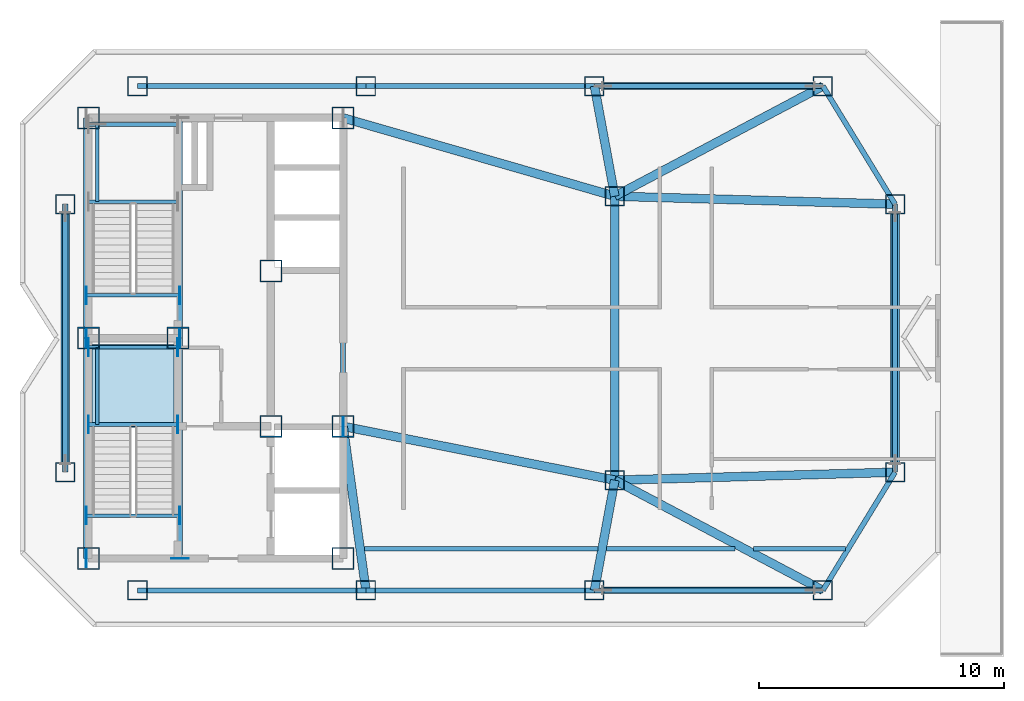
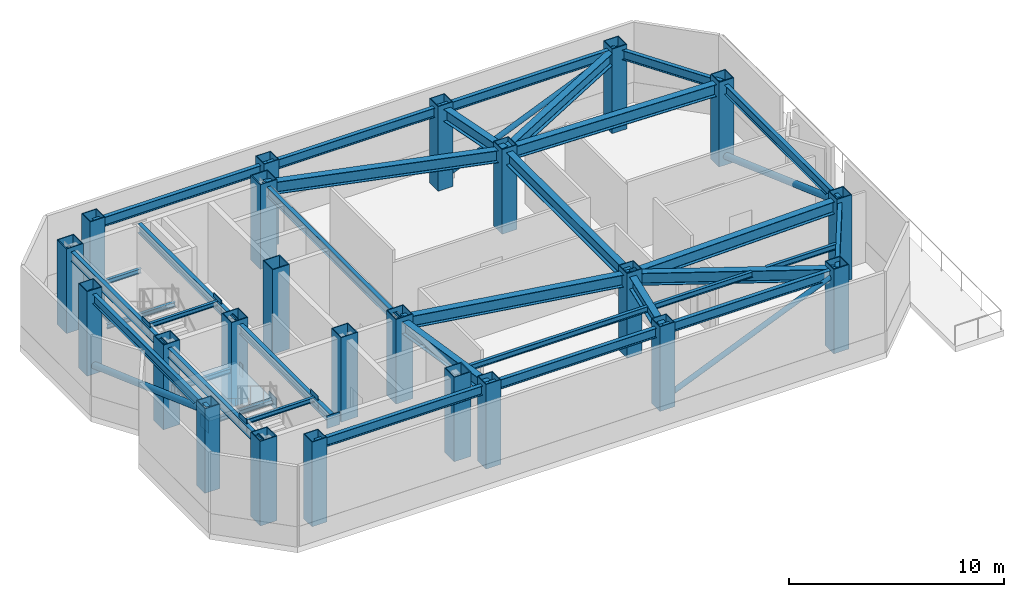
# One storey, part 1 of 10: 36 beams, 23 columns, 13 plates, 4 members, 1 slab, 1 element without a shape of its own.
"""IFC4 building model written with IfcOpenShell, lengths in metres."""

from ifc_helpers import new_model, si_unit, direction, frame, origin, origin_2d, place, context, subcontext, project, spatial, polyline, rectangle, hollow_rectangle, hollow_circle, i_section, outline, extrude, material, layer, layer_set, material_profile, profile_set, type_object, element, aggregate, save


model = new_model("IFC4")

# Units and contexts
model_context = context("Model", 3, precision=1e-05, world=origin(), true_north=direction((0.0, 1.0)))
body_context = subcontext(model_context, "Body", "Model", "MODEL_VIEW")
ifc_project = project(units=[si_unit("LENGTHUNIT", "METRE"), si_unit("AREAUNIT", "SQUARE_METRE"), si_unit("VOLUMEUNIT", "CUBIC_METRE"), si_unit("PLANEANGLEUNIT", "RADIAN"), si_unit("MASSUNIT", "GRAM", prefix="KILO")], contexts=[model_context])

# Site, building, storey
site_placement = place(None, origin())
site = spatial("IfcSite", under=ifc_project, at=site_placement, CompositionType="ELEMENT")
building_placement = place(site_placement, origin())
building = spatial("IfcBuilding", under=site, at=building_placement, Name="Khamvora Tower", CompositionType="ELEMENT")
storey_placement = place(building_placement, frame((0.0, 0.0, 303.050048828125)))
storey = spatial("IfcBuildingStorey", under=building, at=storey_placement, Name="L77", CompositionType="ELEMENT", Elevation=303.050048828125)

# Columns
ifc_material_1 = material(Name="Steel S355", Category="steel")
ifc_material_profile_1 = material_profile(ifc_material_1, hollow_rectangle(XDim=0.800048828125, YDim=0.800048828125, WallThickness=0.0400390625, at=origin_2d()), Name="BOX800x800x40")
ifc_profile_set_1 = profile_set([ifc_material_profile_1], Name="Steel S355")
column_type_1 = type_object("IfcColumnType", Name="COL-BOX800", PredefinedType="COLUMN", material=ifc_profile_set_1)
for number, where, z_axis, x_axis, name in (
    (1, (31.0, 17.699951171875, 0.0), (0.0, 0.0, 1.0), (1.0, 0.0, 0.0), "L77 structural frame column S1"),
    (2, (40.3330078125, 17.699951171875, 0.0), (0.0, 0.0, 1.0), (1.0, 0.0, 0.0), "L77 structural frame column S2"),
    (3, (49.6669921875, 17.699951171875, 0.0), (0.0, 0.0, 1.0), (1.0, 0.0, 0.0), "L77 structural frame column S3"),
    (4, (59.0, 17.699951171875, 0.0), (0.0, 0.0, 1.0), (1.0, 0.0, 0.0), "L77 structural frame column S4"),
    (5, (31.0, 38.300048828125, 0.0), (0.0, 0.0, 1.0), (1.0, 0.0, 0.0), "L77 structural frame column N1"),
    (6, (40.3330078125, 38.300048828125, 0.0), (0.0, 0.0, 1.0), (1.0, 0.0, 0.0), "L77 structural frame column N2"),
    (7, (49.6669921875, 38.300048828125, 0.0), (0.0, 0.0, 1.0), (1.0, 0.0, 0.0), "L77 structural frame column N3"),
    (8, (59.0, 38.300048828125, 0.0), (0.0, 0.0, 1.0), (1.0, 0.0, 0.0), "L77 structural frame column N4"),
    (9, (28.050048828125, 22.52490234375, 0.0), (0.0, 0.0, 1.0), (1.0, 0.0, 0.0), "L77 structural frame column W1"),
    (10, (28.050048828125, 33.47509765625, 0.0), (0.0, 0.0, 1.0), (1.0, 0.0, 0.0), "L77 structural frame column W2"),
    (11, (61.949951171875, 22.52490234375, 0.0), (0.0, 0.0, 1.0), (1.0, 0.0, 0.0), "L77 structural frame column E1"),
    (12, (61.949951171875, 33.47509765625, 0.0), (0.0, 0.0, 1.0), (1.0, 0.0, 0.0), "L77 structural frame column E2"),
    (13, (50.5, 22.199951171875, 0.0), (0.0, 0.0, 1.0), (1.0, 0.0, 0.0), "L77 structural frame column M1"),
    (14, (50.5, 33.800048828125, 0.0), (0.0, 0.0, 1.0), (1.0, 0.0, 0.0), "L77 structural frame column M2"),
):
    element("IfcColumn", number, at=place(storey_placement, frame(where, z_axis=z_axis, x_axis=x_axis)), inside=storey, type_object=column_type_1, Name=name, PredefinedType="COLUMN", context=body_context, shape_type="SweptSolid", body=[
        extrude(hollow_rectangle(XDim=0.800048828125, YDim=0.800048828125, WallThickness=0.0400390625, at=origin_2d()), origin(), (0.0, 0.0, 1.0), 4.800048828125),
    ])
ifc_material_2 = material(Name="Structural Steel S460ML", Category="steel")
ifc_material_profile_2 = material_profile(ifc_material_2, hollow_rectangle(XDim=0.89990234375, YDim=0.89990234375, WallThickness=0.044921875, at=origin_2d()), Name="BOX900x900x45")
ifc_profile_set_2 = profile_set([ifc_material_profile_2], Name="Structural Steel S460ML")
column_type_2 = type_object("IfcColumnType", Name="COL-SC-BOX900", PredefinedType="COLUMN", material=ifc_profile_set_2)
for number, where, z_axis, x_axis, name in (
    (15, (29.0, 19.0, 0.0), (0.0, 0.0, 1.0), (1.0, 0.0, 0.0), "L77 plumb core spine column SC1"),
    (16, (32.64990234375, 28.0, 0.0), (0.0, 0.0, 1.0), (1.0, 0.0, 0.0), "L77 plumb core spine column SC2"),
    (17, (39.39990234375, 19.0, 0.0), (0.0, 0.0, 1.0), (1.0, 0.0, 0.0), "L77 plumb core spine column SC3"),
    (18, (29.0, 28.0, 0.0), (0.0, 0.0, 1.0), (1.0, 0.0, 0.0), "L77 plumb core spine column SC4"),
    (19, (36.449951171875, 24.39990234375, 0.0), (0.0, 0.0, 1.0), (1.0, 0.0, 0.0), "L77 plumb core spine column SC5"),
    (20, (39.39990234375, 24.39990234375, 0.0), (0.0, 0.0, 1.0), (1.0, 0.0, 0.0), "L77 plumb core spine column SC6"),
    (21, (29.0, 37.0, 0.0), (0.0, 0.0, 1.0), (1.0, 0.0, 0.0), "L77 plumb core spine column SC7"),
    (22, (36.449951171875, 30.75, 0.0), (0.0, 0.0, 1.0), (1.0, 0.0, 0.0), "L77 plumb core spine column SC8"),
    (23, (39.39990234375, 37.0, 0.0), (0.0, 0.0, 1.0), (1.0, 0.0, 0.0), "L77 plumb core spine column SC9"),
):
    element("IfcColumn", number, at=place(storey_placement, frame(where, z_axis=z_axis, x_axis=x_axis)), inside=storey, type_object=column_type_2, Name=name, PredefinedType="COLUMN", context=body_context, shape_type="SweptSolid", body=[
        extrude(hollow_rectangle(XDim=0.89990234375, YDim=0.89990234375, WallThickness=0.044921875, at=origin_2d()), origin(), (0.0, 0.0, 1.0), 4.800048828125),
    ])

# Beams
ifc_material_profile_3 = material_profile(ifc_material_1, i_section(OverallWidth=0.166015625, OverallDepth=0.31298828125, WebThickness=0.007080078125, FlangeThickness=0.010986328125, FilletRadius=0.010009765625, at=origin_2d()), Name="W310x45")
ifc_profile_set_3 = profile_set([ifc_material_profile_3], Name="Steel S355")
beam_type_1 = type_object("IfcBeamType", Name="BM-JS-W310x45", PredefinedType="JOIST", material=ifc_profile_set_3)
beam_1_placement = place(storey_placement, frame((40.27001953125, 19.39990234375, 4.39404296875), z_axis=(1.0, 0.0, 0.0), x_axis=(0.0, 1.0, 0.0)))
element("IfcBeam", 24, at=beam_1_placement, inside=storey, type_object=beam_type_1, Name="L77 secondary floor joist 01", PredefinedType="JOIST", context=body_context, shape_type="SweptSolid", body=[
    extrude(i_section(OverallWidth=0.166015625, OverallDepth=0.31298828125, WebThickness=0.007080078125, FlangeThickness=0.010986328125, FilletRadius=0.010009765625, at=origin_2d()), origin(), (0.0, 0.0, 1.0), 9.535888671875),
])
beam_2_placement = place(storey_placement, frame((50.156982421875, 19.39990234375, 4.39404296875), z_axis=(1.0, 0.0, 0.0), x_axis=(0.0, 1.0, 0.0)))
element("IfcBeam", 25, at=beam_2_placement, inside=storey, type_object=beam_type_1, Name="L77 secondary floor joist 02", PredefinedType="JOIST", context=body_context, shape_type="SweptSolid", body=[
    extrude(i_section(OverallWidth=0.166015625, OverallDepth=0.31298828125, WebThickness=0.007080078125, FlangeThickness=0.010986328125, FilletRadius=0.010009765625, at=origin_2d()), origin(), (0.0, 0.0, 1.0), 5.258056640625),
])
beam_3_placement = place(storey_placement, frame((56.1630859375, 19.39990234375, 4.39404296875), z_axis=(1.0, 0.0, 0.0), x_axis=(0.0, 1.0, 0.0)))
element("IfcBeam", 26, at=beam_3_placement, inside=storey, type_object=beam_type_1, Name="L77 secondary floor joist 03", PredefinedType="JOIST", context=body_context, shape_type="SweptSolid", body=[
    extrude(i_section(OverallWidth=0.166015625, OverallDepth=0.31298828125, WebThickness=0.007080078125, FlangeThickness=0.010986328125, FilletRadius=0.010009765625, at=origin_2d()), origin(), (0.0, 0.0, 1.0), 3.759033203125),
])
ifc_material_profile_4 = material_profile(ifc_material_1, i_section(OverallWidth=0.14697265625, OverallDepth=0.261962890625, WebThickness=0.007080078125, FlangeThickness=0.010986328125, FilletRadius=0.008056640625, at=origin_2d()), Name="W250x39")
ifc_profile_set_4 = profile_set([ifc_material_profile_4], Name="Steel S355")
beam_type_2 = type_object("IfcBeamType", Name="BM-LN-W250x39", PredefinedType="LINTEL", material=ifc_profile_set_4)
for number, where, z_axis, x_axis, name in (
    (27, (29.0, 24.47509765625, 2.06884765625), (1.0, 0.0, 0.0), (0.0, 1.0, 0.0), "L77 ST-01 half-landing support beam 1.1"),
    (28, (29.0, 27.6298828125, 2.06884765625), (1.0, 0.0, 0.0), (0.0, 1.0, 0.0), "L77 ST-01 half-landing support beam 1.2"),
):
    element("IfcBeam", number, at=place(storey_placement, frame(where, z_axis=z_axis, x_axis=x_axis)), inside=storey, type_object=beam_type_2, Name=name, PredefinedType="LINTEL", context=body_context, shape_type="SweptSolid", body=[
        extrude(i_section(OverallWidth=0.14697265625, OverallDepth=0.261962890625, WebThickness=0.007080078125, FlangeThickness=0.010986328125, FilletRadius=0.008056640625, at=origin_2d()), origin(), (0.0, 0.0, 1.0), 3.64990234375),
    ])
beam_4_placement = place(storey_placement, frame((29.35009765625, 24.47509765625, 2.06884765625), z_axis=(0.0, 1.0, 0.0), x_axis=(-1.0, 0.0, 0.0)))
element("IfcBeam", 29, at=beam_4_placement, inside=storey, type_object=beam_type_2, Name="L77 ST-01 half-landing edge stringer 1", PredefinedType="LINTEL", context=body_context, shape_type="SweptSolid", body=[
    extrude(i_section(OverallWidth=0.14697265625, OverallDepth=0.261962890625, WebThickness=0.007080078125, FlangeThickness=0.010986328125, FilletRadius=0.008056640625, at=origin_2d()), origin(), (0.0, 0.0, 1.0), 3.15478515625),
])
for number, where, z_axis, x_axis, name in (
    (30, (29.0, 33.574951171875, 2.06884765625), (1.0, 0.0, 0.0), (0.0, 1.0, 0.0), "L77 ST-02 half-landing support beam 1.1"),
    (31, (29.0, 36.72998046875, 2.06884765625), (1.0, 0.0, 0.0), (0.0, 1.0, 0.0), "L77 ST-02 half-landing support beam 1.2"),
):
    element("IfcBeam", number, at=place(storey_placement, frame(where, z_axis=z_axis, x_axis=x_axis)), inside=storey, type_object=beam_type_2, Name=name, PredefinedType="LINTEL", context=body_context, shape_type="SweptSolid", body=[
        extrude(i_section(OverallWidth=0.14697265625, OverallDepth=0.261962890625, WebThickness=0.007080078125, FlangeThickness=0.010986328125, FilletRadius=0.008056640625, at=origin_2d()), origin(), (0.0, 0.0, 1.0), 3.64990234375),
    ])
beam_5_placement = place(storey_placement, frame((29.35009765625, 33.574951171875, 2.06884765625), z_axis=(0.0, 1.0, 0.0), x_axis=(-1.0, 0.0, 0.0)))
element("IfcBeam", 32, at=beam_5_placement, inside=storey, type_object=beam_type_2, Name="L77 ST-02 half-landing edge stringer 1", PredefinedType="LINTEL", context=body_context, shape_type="SweptSolid", body=[
    extrude(i_section(OverallWidth=0.14697265625, OverallDepth=0.261962890625, WebThickness=0.007080078125, FlangeThickness=0.010986328125, FilletRadius=0.008056640625, at=origin_2d()), origin(), (0.0, 0.0, 1.0), 3.155029296875),
])
for number, where, z_axis, x_axis, name in (
    (33, (28.89990234375, 20.75, 4.424072265625), (1.0, 0.0, 0.0), (0.0, 1.0, 0.0), "L77 exit stair ST-01 landing trimmer beam"),
    (34, (28.89990234375, 29.75, 4.424072265625), (1.0, 0.0, 0.0), (0.0, 1.0, 0.0), "L77 exit stair ST-02 landing trimmer beam"),
):
    element("IfcBeam", number, at=place(storey_placement, frame(where, z_axis=z_axis, x_axis=x_axis)), inside=storey, type_object=beam_type_2, Name=name, PredefinedType="LINTEL", context=body_context, shape_type="SweptSolid", body=[
        extrude(i_section(OverallWidth=0.14697265625, OverallDepth=0.261962890625, WebThickness=0.007080078125, FlangeThickness=0.010986328125, FilletRadius=0.008056640625, at=origin_2d()), origin(), (0.0, 0.0, 1.0), 3.830078125),
    ])
ifc_material_profile_5 = material_profile(ifc_material_1, i_section(OverallWidth=0.35498046875, OverallDepth=0.695068359375, WebThickness=0.014892578125, FlangeThickness=0.02490234375, FilletRadius=0.01611328125, at=origin_2d()), Name="W690x217")
ifc_profile_set_5 = profile_set([ifc_material_profile_5], Name="Steel S355")
beam_type_3 = type_object("IfcBeamType", Name="BM-PG-W690x217", PredefinedType="BEAM", material=ifc_profile_set_5)
beam_6_placement = place(storey_placement, frame((50.5, 22.199951171875, 4.201904296875), z_axis=(0.0, 1.0, 0.0), x_axis=(-1.0, 0.0, 0.0)))
element("IfcBeam", 35, at=beam_6_placement, inside=storey, type_object=beam_type_3, Name="L77 longitudinal frame girder M1-M2", PredefinedType="BEAM", context=body_context, shape_type="SweptSolid", body=[
    extrude(i_section(OverallWidth=0.35498046875, OverallDepth=0.695068359375, WebThickness=0.014892578125, FlangeThickness=0.02490234375, FilletRadius=0.01611328125, at=origin_2d()), origin(), (0.0, 0.0, 1.0), 11.60009765625),
])
beam_7_placement = place(storey_placement, frame((39.39990234375, 24.39990234375, 4.201904296875), z_axis=(0.1379391601, -0.990440703985, 0.0), x_axis=(0.990440703985, 0.1379391601, 0.0)))
element("IfcBeam", 36, at=beam_7_placement, inside=storey, type_object=beam_type_3, Name="L77 primary floor girder S2", PredefinedType="BEAM", context=body_context, shape_type="SweptSolid", body=[
    extrude(i_section(OverallWidth=0.35498046875, OverallDepth=0.695068359375, WebThickness=0.014892578125, FlangeThickness=0.02490234375, FilletRadius=0.01611328125, at=origin_2d()), origin(), (0.0, 0.0, 1.0), 6.7646484375),
])
beam_8_placement = place(storey_placement, frame((50.5, 22.199951171875, 4.201904296875), z_axis=(-0.182020488605, -0.983294737974, 0.0), x_axis=(0.983294737974, -0.182020488605, 0.0)))
element("IfcBeam", 37, at=beam_8_placement, inside=storey, type_object=beam_type_3, Name="L77 primary floor girder S3", PredefinedType="BEAM", context=body_context, shape_type="SweptSolid", body=[
    extrude(i_section(OverallWidth=0.35498046875, OverallDepth=0.695068359375, WebThickness=0.014892578125, FlangeThickness=0.02490234375, FilletRadius=0.01611328125, at=origin_2d()), origin(), (0.0, 0.0, 1.0), 4.576416015625),
])
beam_9_placement = place(storey_placement, frame((50.5, 22.199951171875, 4.201904296875), z_axis=(0.883787916347, -0.467887720419, 0.0), x_axis=(0.467887720419, 0.883787916347, 0.0)))
element("IfcBeam", 38, at=beam_9_placement, inside=storey, type_object=beam_type_3, Name="L77 primary floor girder S4", PredefinedType="BEAM", context=body_context, shape_type="SweptSolid", body=[
    extrude(i_section(OverallWidth=0.35498046875, OverallDepth=0.695068359375, WebThickness=0.014892578125, FlangeThickness=0.02490234375, FilletRadius=0.01611328125, at=origin_2d()), origin(), (0.0, 0.0, 1.0), 9.61767578125),
])
beam_10_placement = place(storey_placement, frame((50.5, 33.800048828125, 4.201904296875), z_axis=(-0.182020488605, 0.983294737974, 0.0), x_axis=(-0.983294737974, -0.182020488605, 0.0)))
element("IfcBeam", 39, at=beam_10_placement, inside=storey, type_object=beam_type_3, Name="L77 primary floor girder N3", PredefinedType="BEAM", context=body_context, shape_type="SweptSolid", body=[
    extrude(i_section(OverallWidth=0.35498046875, OverallDepth=0.695068359375, WebThickness=0.014892578125, FlangeThickness=0.02490234375, FilletRadius=0.01611328125, at=origin_2d()), origin(), (0.0, 0.0, 1.0), 4.576416015625),
])
beam_11_placement = place(storey_placement, frame((50.5, 33.800048828125, 4.201904296875), z_axis=(0.883787916347, 0.467887720419, 0.0), x_axis=(-0.467887720419, 0.883787916347, 0.0)))
element("IfcBeam", 40, at=beam_11_placement, inside=storey, type_object=beam_type_3, Name="L77 primary floor girder N4", PredefinedType="BEAM", context=body_context, shape_type="SweptSolid", body=[
    extrude(i_section(OverallWidth=0.35498046875, OverallDepth=0.695068359375, WebThickness=0.014892578125, FlangeThickness=0.02490234375, FilletRadius=0.01611328125, at=origin_2d()), origin(), (0.0, 0.0, 1.0), 9.61767578125),
])
for number, where, z_axis, x_axis, name in (
    (41, (50.5, 22.199951171875, 4.201904296875), (0.999597527046, 0.0283687138, 0.0), (-0.0283687138, 0.999597527046, 0.0), "L77 primary floor girder E1"),
    (42, (50.5, 33.800048828125, 4.201904296875), (0.999597527046, -0.0283687138, 0.0), (0.0283687138, 0.999597527046, 0.0), "L77 primary floor girder E2"),
):
    element("IfcBeam", number, at=place(storey_placement, frame(where, z_axis=z_axis, x_axis=x_axis)), inside=storey, type_object=beam_type_3, Name=name, PredefinedType="BEAM", context=body_context, shape_type="SweptSolid", body=[
        extrude(i_section(OverallWidth=0.35498046875, OverallDepth=0.695068359375, WebThickness=0.014892578125, FlangeThickness=0.02490234375, FilletRadius=0.01611328125, at=origin_2d()), origin(), (0.0, 0.0, 1.0), 11.45458984375),
    ])
beam_12_placement = place(storey_placement, frame((39.39990234375, 24.39990234375, 4.201904296875), z_axis=(0.980920240909, -0.194410598927, 0.0), x_axis=(0.194410598927, 0.980920240909, 0.0)))
element("IfcBeam", 43, at=beam_12_placement, inside=storey, type_object=beam_type_3, Name="L77 primary floor girder M1", PredefinedType="BEAM", context=body_context, shape_type="SweptSolid", body=[
    extrude(i_section(OverallWidth=0.35498046875, OverallDepth=0.695068359375, WebThickness=0.014892578125, FlangeThickness=0.02490234375, FilletRadius=0.01611328125, at=origin_2d()), origin(), (0.0, 0.0, 1.0), 11.31591796875),
])
beam_13_placement = place(storey_placement, frame((39.39990234375, 37.0, 4.201904296875), z_axis=(0.960869684076, -0.277000812677, 0.0), x_axis=(0.277000812677, 0.960869684076, 0.0)))
element("IfcBeam", 44, at=beam_13_placement, inside=storey, type_object=beam_type_3, Name="L77 primary floor girder M2", PredefinedType="BEAM", context=body_context, shape_type="SweptSolid", body=[
    extrude(i_section(OverallWidth=0.35498046875, OverallDepth=0.695068359375, WebThickness=0.014892578125, FlangeThickness=0.02490234375, FilletRadius=0.01611328125, at=origin_2d()), origin(), (0.0, 0.0, 1.0), 11.55224609375),
])
ifc_material_profile_6 = material_profile(ifc_material_1, i_section(OverallWidth=0.208984375, OverallDepth=0.532958984375, WebThickness=0.010009765625, FlangeThickness=0.01611328125, FilletRadius=0.013916015625, at=origin_2d()), Name="W530x92")
ifc_profile_set_6 = profile_set([ifc_material_profile_6], Name="Steel S355")
beam_type_4 = type_object("IfcBeamType", Name="BM-SP-W530x92", PredefinedType="SPANDREL", material=ifc_profile_set_6)
beam_14_placement = place(storey_placement, frame((31.0, 17.699951171875, 4.283935546875), z_axis=(1.0, 0.0, 0.0), x_axis=(0.0, 1.0, 0.0)))
element("IfcBeam", 45, at=beam_14_placement, inside=storey, type_object=beam_type_4, Name="L77 perimeter spandrel beam S1-S2", PredefinedType="SPANDREL", context=body_context, shape_type="SweptSolid", body=[
    extrude(i_section(OverallWidth=0.208984375, OverallDepth=0.532958984375, WebThickness=0.010009765625, FlangeThickness=0.01611328125, FilletRadius=0.013916015625, at=origin_2d()), origin(), (0.0, 0.0, 1.0), 9.3330078125),
])
beam_15_placement = place(storey_placement, frame((40.3330078125, 17.699951171875, 4.283935546875), z_axis=(1.0, 0.0, 0.0), x_axis=(0.0, 1.0, 0.0)))
element("IfcBeam", 46, at=beam_15_placement, inside=storey, type_object=beam_type_4, Name="L77 perimeter spandrel beam S2-S3", PredefinedType="SPANDREL", context=body_context, shape_type="SweptSolid", body=[
    extrude(i_section(OverallWidth=0.208984375, OverallDepth=0.532958984375, WebThickness=0.010009765625, FlangeThickness=0.01611328125, FilletRadius=0.013916015625, at=origin_2d()), origin(), (0.0, 0.0, 1.0), 9.333984375),
])
beam_16_placement = place(storey_placement, frame((49.6669921875, 17.699951171875, 4.283935546875), z_axis=(1.0, 0.0, 0.0), x_axis=(0.0, 1.0, 0.0)))
element("IfcBeam", 47, at=beam_16_placement, inside=storey, type_object=beam_type_4, Name="L77 perimeter spandrel beam S3-S4", PredefinedType="SPANDREL", context=body_context, shape_type="SweptSolid", body=[
    extrude(i_section(OverallWidth=0.208984375, OverallDepth=0.532958984375, WebThickness=0.010009765625, FlangeThickness=0.01611328125, FilletRadius=0.013916015625, at=origin_2d()), origin(), (0.0, 0.0, 1.0), 9.3330078125),
])
beam_17_placement = place(storey_placement, frame((59.0, 17.699951171875, 4.283935546875), z_axis=(0.521626365843, 0.853174035269, 0.0), x_axis=(-0.853174035269, 0.521626365843, 0.0)))
element("IfcBeam", 48, at=beam_17_placement, inside=storey, type_object=beam_type_4, Name="L77 perimeter spandrel beam S4-E1", PredefinedType="SPANDREL", context=body_context, shape_type="SweptSolid", body=[
    extrude(i_section(OverallWidth=0.208984375, OverallDepth=0.532958984375, WebThickness=0.010009765625, FlangeThickness=0.01611328125, FilletRadius=0.013916015625, at=origin_2d()), origin(), (0.0, 0.0, 1.0), 5.6552734375),
])
beam_18_placement = place(storey_placement, frame((61.949951171875, 22.52490234375, 4.283935546875), z_axis=(0.0, 1.0, 0.0), x_axis=(-1.0, 0.0, 0.0)))
element("IfcBeam", 49, at=beam_18_placement, inside=storey, type_object=beam_type_4, Name="L77 perimeter spandrel beam E1-E2", PredefinedType="SPANDREL", context=body_context, shape_type="SweptSolid", body=[
    extrude(i_section(OverallWidth=0.208984375, OverallDepth=0.532958984375, WebThickness=0.010009765625, FlangeThickness=0.01611328125, FilletRadius=0.013916015625, at=origin_2d()), origin(), (0.0, 0.0, 1.0), 10.9501953125),
])
beam_19_placement = place(storey_placement, frame((61.949951171875, 33.47509765625, 4.283935546875), z_axis=(-0.521626365843, 0.853174035269, 0.0), x_axis=(-0.853174035269, -0.521626365843, 0.0)))
element("IfcBeam", 50, at=beam_19_placement, inside=storey, type_object=beam_type_4, Name="L77 perimeter spandrel beam E2-N4", PredefinedType="SPANDREL", context=body_context, shape_type="SweptSolid", body=[
    extrude(i_section(OverallWidth=0.208984375, OverallDepth=0.532958984375, WebThickness=0.010009765625, FlangeThickness=0.01611328125, FilletRadius=0.013916015625, at=origin_2d()), origin(), (0.0, 0.0, 1.0), 5.6552734375),
])
beam_20_placement = place(storey_placement, frame((59.0, 38.300048828125, 4.283935546875), z_axis=(-1.0, 0.0, 0.0), x_axis=(0.0, -1.0, 0.0)))
element("IfcBeam", 51, at=beam_20_placement, inside=storey, type_object=beam_type_4, Name="L77 perimeter spandrel beam N4-N3", PredefinedType="SPANDREL", context=body_context, shape_type="SweptSolid", body=[
    extrude(i_section(OverallWidth=0.208984375, OverallDepth=0.532958984375, WebThickness=0.010009765625, FlangeThickness=0.01611328125, FilletRadius=0.013916015625, at=origin_2d()), origin(), (0.0, 0.0, 1.0), 9.3330078125),
])
beam_21_placement = place(storey_placement, frame((49.6669921875, 38.300048828125, 4.283935546875), z_axis=(-1.0, 0.0, 0.0), x_axis=(0.0, -1.0, 0.0)))
element("IfcBeam", 52, at=beam_21_placement, inside=storey, type_object=beam_type_4, Name="L77 perimeter spandrel beam N3-N2", PredefinedType="SPANDREL", context=body_context, shape_type="SweptSolid", body=[
    extrude(i_section(OverallWidth=0.208984375, OverallDepth=0.532958984375, WebThickness=0.010009765625, FlangeThickness=0.01611328125, FilletRadius=0.013916015625, at=origin_2d()), origin(), (0.0, 0.0, 1.0), 9.333984375),
])
beam_22_placement = place(storey_placement, frame((40.3330078125, 38.300048828125, 4.283935546875), z_axis=(-1.0, 0.0, 0.0), x_axis=(0.0, -1.0, 0.0)))
element("IfcBeam", 53, at=beam_22_placement, inside=storey, type_object=beam_type_4, Name="L77 perimeter spandrel beam N2-N1", PredefinedType="SPANDREL", context=body_context, shape_type="SweptSolid", body=[
    extrude(i_section(OverallWidth=0.208984375, OverallDepth=0.532958984375, WebThickness=0.010009765625, FlangeThickness=0.01611328125, FilletRadius=0.013916015625, at=origin_2d()), origin(), (0.0, 0.0, 1.0), 9.3330078125),
])
beam_23_placement = place(storey_placement, frame((28.050048828125, 33.47509765625, 4.283935546875), z_axis=(0.0, -1.0, 0.0), x_axis=(1.0, 0.0, 0.0)))
element("IfcBeam", 54, at=beam_23_placement, inside=storey, type_object=beam_type_4, Name="L77 perimeter spandrel beam W2-W1", PredefinedType="SPANDREL", context=body_context, shape_type="SweptSolid", body=[
    extrude(i_section(OverallWidth=0.208984375, OverallDepth=0.532958984375, WebThickness=0.010009765625, FlangeThickness=0.01611328125, FilletRadius=0.013916015625, at=origin_2d()), origin(), (0.0, 0.0, 1.0), 10.9501953125),
])
for number, where, z_axis, x_axis, name in (
    (55, (28.89990234375, 19.0, 4.283935546875), (0.0, 1.0, 0.0), (-1.0, 0.0, 0.0), "L77 core spine girder WS"),
    (56, (28.89990234375, 28.0, 4.283935546875), (0.0, 1.0, 0.0), (-1.0, 0.0, 0.0), "L77 core spine girder WN"),
    (57, (32.72998046875, 19.0, 4.283935546875), (0.0, 1.0, 0.0), (-1.0, 0.0, 0.0), "L77 core spine girder M1S"),
    (58, (32.72998046875, 28.0, 4.283935546875), (0.0, 1.0, 0.0), (-1.0, 0.0, 0.0), "L77 core spine girder M1N"),
):
    element("IfcBeam", number, at=place(storey_placement, frame(where, z_axis=z_axis, x_axis=x_axis)), inside=storey, type_object=beam_type_4, Name=name, PredefinedType="SPANDREL", context=body_context, shape_type="SweptSolid", body=[
        extrude(i_section(OverallWidth=0.208984375, OverallDepth=0.532958984375, WebThickness=0.010009765625, FlangeThickness=0.01611328125, FilletRadius=0.013916015625, at=origin_2d()), origin(), (0.0, 0.0, 1.0), 9.0),
    ])
beam_24_placement = place(storey_placement, frame((39.39990234375, 24.39990234375, 4.283935546875), z_axis=(0.0, 1.0, 0.0), x_axis=(-1.0, 0.0, 0.0)))
element("IfcBeam", 59, at=beam_24_placement, inside=storey, type_object=beam_type_4, Name="L77 core spine girder EN", PredefinedType="SPANDREL", context=body_context, shape_type="SweptSolid", body=[
    extrude(i_section(OverallWidth=0.208984375, OverallDepth=0.532958984375, WebThickness=0.010009765625, FlangeThickness=0.01611328125, FilletRadius=0.013916015625, at=origin_2d()), origin(), (0.0, 0.0, 1.0), 12.60009765625),
])

# Members
ifc_material_profile_7 = material_profile(ifc_material_1, hollow_circle(Radius=0.177978515625, WallThickness=0.013916015625, at=origin_2d()), Name="CHS356x14")
ifc_profile_set_7 = profile_set([ifc_material_profile_7], Name="Steel S355")
member_type_1 = type_object("IfcMemberType", Name="MEM-BR-CHS356", PredefinedType="BRACE", material=ifc_profile_set_7)
for number, where, z_axis, x_axis, name in (
    (60, (28.050048828125, 33.116943359375, 0.47802734375), (0.0, -0.941069580525, 0.338213016618), (1.0, 0.0, 0.0), "L77 perimeter wind brace 1"),
    (61, (61.949951171875, 33.116943359375, 0.47802734375), (0.0, -0.941069580525, 0.338213016618), (1.0, 0.0, 0.0), "L77 perimeter wind brace 2"),
):
    element("IfcMember", number, at=place(storey_placement, frame(where, z_axis=z_axis, x_axis=x_axis)), inside=storey, type_object=member_type_1, Name=name, PredefinedType="BRACE", context=body_context, shape_type="SweptSolid", body=[
        extrude(hollow_circle(Radius=0.177978515625, WallThickness=0.013916015625, at=origin_2d()), origin(), (0.0, 0.0, 1.0), 10.874755859375),
    ])
ifc_material_profile_8 = material_profile(ifc_material_1, hollow_circle(Radius=0.136474609375, WallThickness=0.011962890625, at=origin_2d()), Name="CHS273x12")
ifc_profile_set_8 = profile_set([ifc_material_profile_8], Name="Steel S355")
member_type_2 = type_object("IfcMemberType", Name="MEM-ST-CHS273", PredefinedType="STRUT", material=ifc_profile_set_8)
for number, where, z_axis, x_axis, name in (
    (62, (50.01708984375, 17.699951171875, 0.4970703125), (0.921592687336, 0.0, 0.388158368), (0.0, 1.0, 0.0), "L77 plant perimeter tie strut 1"),
    (63, (50.01708984375, 38.300048828125, 0.4970703125), (0.921592687336, 0.0, 0.388158368), (0.0, 1.0, 0.0), "L77 plant perimeter tie strut 2"),
):
    element("IfcMember", number, at=place(storey_placement, frame(where, z_axis=z_axis, x_axis=x_axis)), inside=storey, type_object=member_type_2, Name=name, PredefinedType="STRUT", context=body_context, shape_type="SweptSolid", body=[
        extrude(hollow_circle(Radius=0.136474609375, WallThickness=0.011962890625, at=origin_2d()), origin(), (0.0, 0.0, 1.0), 9.3671875),
    ])

# Plates
ifc_material_3 = material(Name="Steel S460", Category="steel")
ifc_layer_1 = layer(ifc_material_3, 0.034912109375)
ifc_layer_set_1 = layer_set([ifc_layer_1], Name="Steel S460")
plate_type = type_object("IfcPlateType", Name="PL-EMB-35", PredefinedType="SHEET", material=ifc_layer_set_1)
for number, where, z_axis, x_axis, name in (
    (64, (29.0, 24.47509765625, 1.708984375), (0.0, 0.0, 1.0), (1.0, 0.0, 0.0), "L77 core shear wall cast-in embed plate 2244"),
    (65, (32.64990234375, 24.47509765625, 1.708984375), (0.0, 0.0, 1.0), (1.0, 0.0, 0.0), "L77 core shear wall cast-in embed plate 2245"),
    (66, (29.0, 27.6298828125, 1.708984375), (0.0, 0.0, 1.0), (1.0, 0.0, 0.0), "L77 core shear wall cast-in embed plate 2246"),
    (67, (32.64990234375, 27.6298828125, 1.708984375), (0.0, 0.0, 1.0), (1.0, 0.0, 0.0), "L77 core shear wall cast-in embed plate 2247"),
    (68, (39.39990234375, 24.39990234375, 3.841796875), (0.0, 0.0, 1.0), (1.0, 0.0, 0.0), "L77 core shear wall cast-in embed plate 2253"),
    (69, (28.89990234375, 19.0, 3.923828125), (0.0, 0.0, 1.0), (1.0, 0.0, 0.0), "L77 core shear wall cast-in embed plate 2255"),
    (70, (28.89990234375, 28.0, 3.923828125), (0.0, 0.0, 1.0), (1.0, 0.0, 0.0), "L77 core shear wall cast-in embed plate 2256"),
):
    element("IfcPlate", number, at=place(storey_placement, frame(where, z_axis=z_axis, x_axis=x_axis)), inside=storey, type_object=plate_type, Name=name, PredefinedType="SHEET", context=body_context, shape_type="SweptSolid", body=[
        extrude(rectangle(XDim=0.034912109375, YDim=0.719970703125, at=origin_2d()), origin(), (0.0, 0.0, 1.0), 0.719970703125),
    ])
plate_placement = place(storey_placement, frame((32.72998046875, 19.0, 3.923828125), z_axis=(0.0, 0.0, 1.0), x_axis=(1.0, 0.0, 0.0)))
element("IfcPlate", 71, at=plate_placement, inside=storey, type_object=plate_type, Name="L77 core shear wall cast-in embed plate 2258", PredefinedType="SHEET", context=body_context, shape_type="SweptSolid", body=[
    extrude(rectangle(XDim=0.719970703125, YDim=0.034912109375, at=origin_2d()), origin(), (0.0, 0.0, 1.0), 0.719970703125),
])
for number, where, z_axis, x_axis, name in (
    (72, (32.72998046875, 28.0, 3.923828125), (0.0, 0.0, 1.0), (1.0, 0.0, 0.0), "L77 core shear wall cast-in embed plate 2259"),
    (73, (28.89990234375, 20.75, 4.06396484375), (0.0, 0.0, 1.0), (1.0, 0.0, 0.0), "L77 core shear wall cast-in embed plate 2261"),
    (74, (32.72998046875, 20.75, 4.06396484375), (0.0, 0.0, 1.0), (1.0, 0.0, 0.0), "L77 core shear wall cast-in embed plate 2262"),
    (75, (28.89990234375, 29.75, 4.06396484375), (0.0, 0.0, 1.0), (1.0, 0.0, 0.0), "L77 core shear wall cast-in embed plate 2263"),
    (76, (32.72998046875, 29.75, 4.06396484375), (0.0, 0.0, 1.0), (1.0, 0.0, 0.0), "L77 core shear wall cast-in embed plate 2264"),
):
    element("IfcPlate", number, at=place(storey_placement, frame(where, z_axis=z_axis, x_axis=x_axis)), inside=storey, type_object=plate_type, Name=name, PredefinedType="SHEET", context=body_context, shape_type="SweptSolid", body=[
        extrude(rectangle(XDim=0.034912109375, YDim=0.719970703125, at=origin_2d()), origin(), (0.0, 0.0, 1.0), 0.719970703125),
    ])

# Stair, slab
ifc_material_4 = material(Name="Concrete C40/50", Category="concrete")
stair_type = type_object("IfcStairType", Name="STR-ST-01", PredefinedType="HALF_TURN_STAIR", material=ifc_material_4)
stair_placement = place(storey_placement, origin())
stair = element("IfcStair", 77, at=stair_placement, inside=storey, type_object=stair_type, Name="L77 South Tower Exit Stair ST-01", PredefinedType="HALF_TURN_STAIR")
ifc_layer_2 = layer(ifc_material_4, 0.199951171875)
ifc_layer_set_2 = layer_set([ifc_layer_2], Name="Concrete C40/50")
slab_type = type_object("IfcSlabType", Name="SLB-LND-200", PredefinedType="LANDING", material=ifc_layer_set_2)
slab_placement = place(storey_placement, frame((0.0, 0.0, 2.199951171875)))
slab = element("IfcSlab", 78, at=slab_placement, type_object=slab_type, Name="ST-01 landing 1", PredefinedType="LANDING", context=body_context, shape_type="SweptSolid", body=[
    extrude(outline(polyline([(32.5, 24.35498046875), (32.5, 27.75), (29.14990234375, 27.75), (29.14990234375, 24.35498046875), (32.5, 24.35498046875)])), origin(), (0.0, 0.0, 1.0), 0.199951171875),
])
aggregate(stair, [slab])

save(model, "model.ifc")
